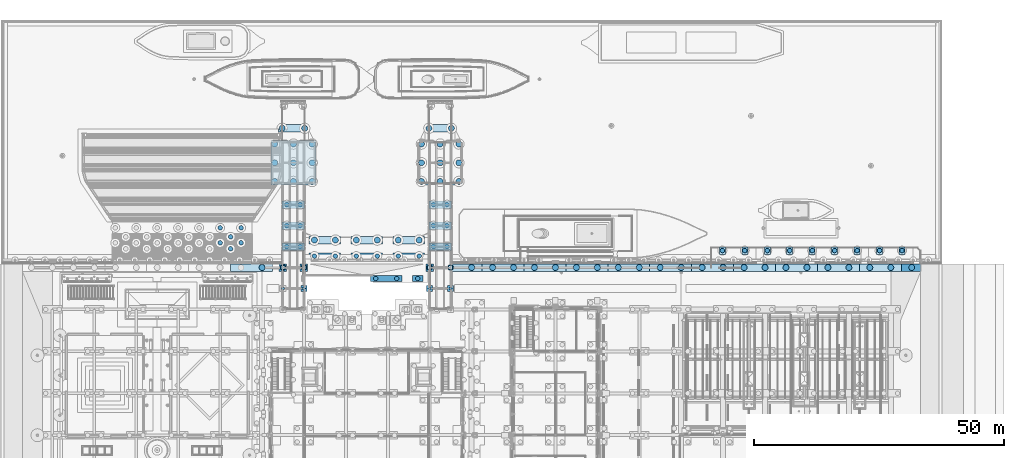
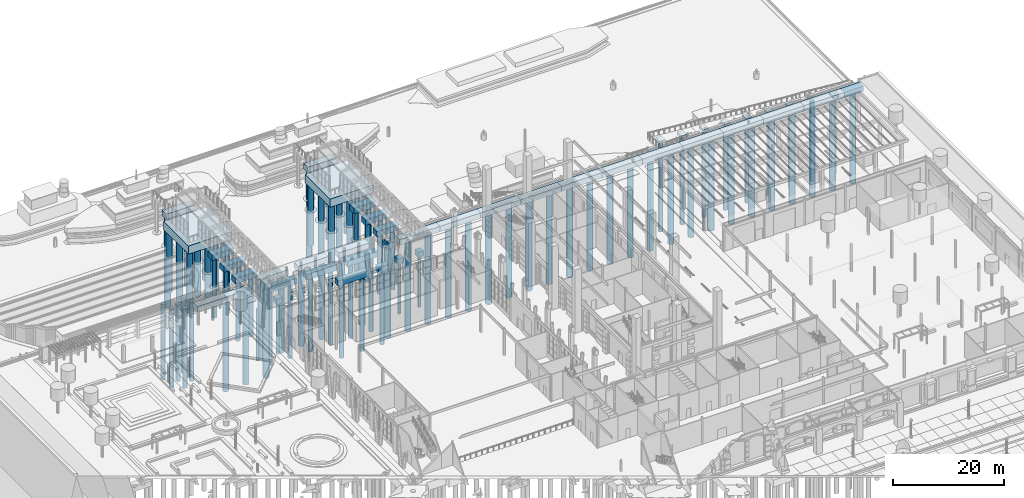
# One storey, part 7 of 222: 95 piles, 50 footings.
"""IFC4 building model written with IfcOpenShell, lengths in metres."""

from ifc_helpers import new_model, si_unit, direction, frame, origin, origin_2d, place, context, subcontext, project, spatial, rectangle, circle, extrude, material, material_profile, profile_set, type_object, element, save


model = new_model("IFC4")

# Units and contexts
model_context = context("Model", 3, precision=1e-05, world=origin(), true_north=direction((0.0, 1.0)))
body_context = subcontext(model_context, "Body", "Model", "MODEL_VIEW")
ifc_project = project(units=[si_unit("LENGTHUNIT", "METRE"), si_unit("AREAUNIT", "SQUARE_METRE"), si_unit("VOLUMEUNIT", "CUBIC_METRE"), si_unit("PLANEANGLEUNIT", "RADIAN"), si_unit("MASSUNIT", "GRAM", prefix="KILO")], contexts=[model_context])

# Site, building, storey
site_placement = place(None, origin())
site = spatial("IfcSite", under=ifc_project, at=site_placement, CompositionType="ELEMENT")
building_placement = place(site_placement, origin())
building = spatial("IfcBuilding", under=site, at=building_placement, Name="Sava Quay Ferry Terminal", CompositionType="ELEMENT")
storey_placement = place(building_placement, origin())
storey = spatial("IfcBuildingStorey", under=building, at=storey_placement, Name="L00", CompositionType="ELEMENT", Elevation=0.0)

# Piles
ifc_material_1 = material(Name="Concrete C35/45", Category="concrete")
ifc_material_profile_1 = material_profile(ifc_material_1, circle(Radius=0.60009765625, at=origin_2d()), Name="Bored pile D1200")
ifc_profile_set_1 = profile_set([ifc_material_profile_1], Name="Concrete C35/45")
pile_type_1 = type_object("IfcPileType", Name="Bored pile D1200", PredefinedType="BORED", material=ifc_profile_set_1)
for number, where, z_axis, x_axis, name in (
    (1, (44.550048828125, 134.85009765625, -2.14990234375), (0.0, 0.0, -1.0), (1.0, 0.0, 0.0), "Pile 44.55/134.85"),
    (2, (44.550048828125, 138.60009765625, -2.14990234375), (0.0, 0.0, -1.0), (1.0, 0.0, 0.0), "Pile 44.55/138.6"),
    (3, (44.550048828125, 142.35009765625, -2.14990234375), (0.0, 0.0, -1.0), (1.0, 0.0, 0.0), "Pile 44.55/142.35"),
    (4, (48.300048828125, 134.85009765625, -2.14990234375), (0.0, 0.0, -1.0), (1.0, 0.0, 0.0), "Pile 48.3/134.85"),
    (5, (48.300048828125, 138.60009765625, -2.14990234375), (0.0, 0.0, -1.0), (1.0, 0.0, 0.0), "Pile 48.3/138.6"),
    (6, (48.300048828125, 142.35009765625, -2.14990234375), (0.0, 0.0, -1.0), (1.0, 0.0, 0.0), "Pile 48.3/142.35"),
    (7, (52.050048828125, 134.85009765625, -2.14990234375), (0.0, 0.0, -1.0), (1.0, 0.0, 0.0), "Pile 52.05/134.85"),
    (8, (52.050048828125, 138.60009765625, -2.14990234375), (0.0, 0.0, -1.0), (1.0, 0.0, 0.0), "Pile 52.05/138.6"),
    (9, (52.050048828125, 142.35009765625, -2.14990234375), (0.0, 0.0, -1.0), (1.0, 0.0, 0.0), "Pile 52.05/142.35"),
    (10, (73.949951171875, 134.85009765625, -2.14990234375), (0.0, 0.0, -1.0), (1.0, 0.0, 0.0), "Pile 73.95/134.85"),
    (11, (73.949951171875, 138.60009765625, -2.14990234375), (0.0, 0.0, -1.0), (1.0, 0.0, 0.0), "Pile 73.95/138.6"),
    (12, (73.949951171875, 142.35009765625, -2.14990234375), (0.0, 0.0, -1.0), (1.0, 0.0, 0.0), "Pile 73.95/142.35"),
    (13, (77.699951171875, 134.85009765625, -2.14990234375), (0.0, 0.0, -1.0), (1.0, 0.0, 0.0), "Pile 77.7/134.85"),
    (14, (77.699951171875, 138.60009765625, -2.14990234375), (0.0, 0.0, -1.0), (1.0, 0.0, 0.0), "Pile 77.7/138.6"),
    (15, (77.699951171875, 142.35009765625, -2.14990234375), (0.0, 0.0, -1.0), (1.0, 0.0, 0.0), "Pile 77.7/142.35"),
    (16, (81.449951171875, 134.85009765625, -2.14990234375), (0.0, 0.0, -1.0), (1.0, 0.0, 0.0), "Pile 81.45/134.85"),
    (17, (81.449951171875, 138.60009765625, -2.14990234375), (0.0, 0.0, -1.0), (1.0, 0.0, 0.0), "Pile 81.45/138.6"),
    (18, (81.449951171875, 142.35009765625, -2.14990234375), (0.0, 0.0, -1.0), (1.0, 0.0, 0.0), "Pile 81.45/142.35"),
):
    element("IfcPile", number, at=place(storey_placement, frame(where, z_axis=z_axis, x_axis=x_axis)), inside=storey, type_object=pile_type_1, Name=name, PredefinedType="BORED", context=body_context, shape_type="SweptSolid", body=[
        extrude(circle(Radius=0.60009765625, at=origin_2d()), origin(), (0.0, 0.0, 1.0), 13.449951171875),
    ])
ifc_material_2 = material(Name="Concrete C35/45", Category="concrete")
ifc_material_profile_2 = material_profile(ifc_material_2, circle(Radius=0.60009765625, at=origin_2d()), Name="Bored pile D1200 in marl")
ifc_profile_set_2 = profile_set([ifc_material_profile_2], Name="Concrete C35/45")
pile_type_2 = type_object("IfcPileType", Name="Bored pile D1200 in marl", PredefinedType="BORED", material=ifc_profile_set_2)
for number, where, z_axis, x_axis, name in (
    (19, (42.0, 117.60009765625, -1.550048828125), (0.0, 0.0, -1.0), (1.0, 0.0, 0.0), "Quay pile 42"),
    (20, (46.199951171875, 117.60009765625, -1.550048828125), (0.0, 0.0, -1.0), (1.0, 0.0, 0.0), "Quay pile 46.2"),
    (21, (50.39990234375, 117.60009765625, -1.550048828125), (0.0, 0.0, -1.0), (1.0, 0.0, 0.0), "Quay pile 50.4"),
    (22, (75.60009765625, 117.60009765625, -1.550048828125), (0.0, 0.0, -1.0), (1.0, 0.0, 0.0), "Quay pile 75.6"),
    (23, (79.800048828125, 117.60009765625, -1.550048828125), (0.0, 0.0, -1.0), (1.0, 0.0, 0.0), "Quay pile 79.8"),
    (24, (84.0, 117.60009765625, -1.550048828125), (0.0, 0.0, -1.0), (1.0, 0.0, 0.0), "Quay pile 84"),
    (25, (88.199951171875, 117.60009765625, -1.550048828125), (0.0, 0.0, -1.0), (1.0, 0.0, 0.0), "Quay pile 88.2"),
    (26, (92.39990234375, 117.60009765625, -1.550048828125), (0.0, 0.0, -1.0), (1.0, 0.0, 0.0), "Quay pile 92.4"),
    (27, (96.60009765625, 117.60009765625, -1.550048828125), (0.0, 0.0, -1.0), (1.0, 0.0, 0.0), "Quay pile 96.6"),
    (28, (100.800048828125, 117.60009765625, -1.550048828125), (0.0, 0.0, -1.0), (1.0, 0.0, 0.0), "Quay pile 100.8"),
    (29, (105.0, 117.60009765625, -1.550048828125), (0.0, 0.0, -1.0), (1.0, 0.0, 0.0), "Quay pile 105"),
    (30, (109.199951171875, 117.60009765625, -1.550048828125), (0.0, 0.0, -1.0), (1.0, 0.0, 0.0), "Quay pile 109.2"),
    (31, (113.39990234375, 117.60009765625, -1.550048828125), (0.0, 0.0, -1.0), (1.0, 0.0, 0.0), "Quay pile 113.4"),
    (32, (117.60009765625, 117.60009765625, -1.550048828125), (0.0, 0.0, -1.0), (1.0, 0.0, 0.0), "Quay pile 117.6"),
    (33, (121.800048828125, 117.60009765625, -1.550048828125), (0.0, 0.0, -1.0), (1.0, 0.0, 0.0), "Quay pile 121.8"),
    (34, (126.0, 117.60009765625, -1.550048828125), (0.0, 0.0, -1.0), (1.0, 0.0, 0.0), "Quay pile 126"),
    (35, (130.199951171875, 117.60009765625, -1.550048828125), (0.0, 0.0, -1.0), (1.0, 0.0, 0.0), "Quay pile 130.2"),
    (36, (134.39990234375, 117.60009765625, -1.550048828125), (0.0, 0.0, -1.0), (1.0, 0.0, 0.0), "Quay pile 134.4"),
    (37, (138.60009765625, 117.60009765625, -1.550048828125), (0.0, 0.0, -1.0), (1.0, 0.0, 0.0), "Quay pile 138.6"),
    (38, (142.800048828125, 117.60009765625, -1.550048828125), (0.0, 0.0, -1.0), (1.0, 0.0, 0.0), "Quay pile 142.8"),
    (39, (147.0, 117.60009765625, -1.550048828125), (0.0, 0.0, -1.0), (1.0, 0.0, 0.0), "Quay pile 147"),
    (40, (151.199951171875, 117.60009765625, -1.550048828125), (0.0, 0.0, -1.0), (1.0, 0.0, 0.0), "Quay pile 151.2"),
    (41, (155.39990234375, 117.60009765625, -1.550048828125), (0.0, 0.0, -1.0), (1.0, 0.0, 0.0), "Quay pile 155.4"),
    (42, (159.60009765625, 117.60009765625, -1.550048828125), (0.0, 0.0, -1.0), (1.0, 0.0, 0.0), "Quay pile 159.6"),
    (43, (163.800048828125, 117.60009765625, -1.550048828125), (0.0, 0.0, -1.0), (1.0, 0.0, 0.0), "Quay pile 163.8"),
    (44, (168.0, 117.60009765625, -1.550048828125), (0.0, 0.0, -1.0), (1.0, 0.0, 0.0), "Quay pile 168"),
    (45, (172.199951171875, 117.60009765625, -1.550048828125), (0.0, 0.0, -1.0), (1.0, 0.0, 0.0), "Quay pile 172.2"),
):
    element("IfcPile", number, at=place(storey_placement, frame(where, z_axis=z_axis, x_axis=x_axis)), inside=storey, type_object=pile_type_2, Name=name, PredefinedType="BORED", context=body_context, shape_type="SweptSolid", body=[
        extrude(circle(Radius=0.60009765625, at=origin_2d()), origin(), (0.0, 0.0, 1.0), 19.85009765625),
    ])
for number, where, z_axis, x_axis, name in (
    (46, (52.5, 123.10009765625, -4.5), (0.0, 0.0, -1.0), (1.0, 0.0, 0.0), "Terrace pile 52.5/123.1"),
    (47, (56.699951171875, 123.10009765625, -4.5), (0.0, 0.0, -1.0), (1.0, 0.0, 0.0), "Terrace pile 56.7/123.1"),
    (48, (60.89990234375, 123.10009765625, -4.5), (0.0, 0.0, -1.0), (1.0, 0.0, 0.0), "Terrace pile 60.9/123.1"),
    (49, (65.10009765625, 123.10009765625, -4.5), (0.0, 0.0, -1.0), (1.0, 0.0, 0.0), "Terrace pile 65.1/123.1"),
    (50, (69.300048828125, 123.10009765625, -4.5), (0.0, 0.0, -1.0), (1.0, 0.0, 0.0), "Terrace pile 69.3/123.1"),
    (51, (73.5, 123.10009765625, -4.5), (0.0, 0.0, -1.0), (1.0, 0.0, 0.0), "Terrace pile 73.5/123.1"),
):
    element("IfcPile", number, at=place(storey_placement, frame(where, z_axis=z_axis, x_axis=x_axis)), inside=storey, type_object=pile_type_2, Name=name, PredefinedType="BORED", context=body_context, shape_type="SweptSolid", body=[
        extrude(circle(Radius=0.60009765625, at=origin_2d()), origin(), (0.0, 0.0, 1.0), 16.89990234375),
    ])
for number, where, z_axis, x_axis, name in (
    (52, (46.050048828125, 145.5, -1.550048828125), (0.0, 0.0, -1.0), (1.0, 0.0, 0.0), "B1 landing pile"),
    (53, (50.550048828125, 145.5, -1.550048828125), (0.0, 0.0, -1.0), (1.0, 0.0, 0.0), "B1 landing pile"),
    (54, (75.449951171875, 145.5, -1.550048828125), (0.0, 0.0, -1.0), (1.0, 0.0, 0.0), "B2 landing pile"),
    (55, (79.949951171875, 145.5, -1.550048828125), (0.0, 0.0, -1.0), (1.0, 0.0, 0.0), "B2 landing pile"),
):
    element("IfcPile", number, at=place(storey_placement, frame(where, z_axis=z_axis, x_axis=x_axis)), inside=storey, type_object=pile_type_2, Name=name, PredefinedType="BORED", context=body_context, shape_type="SweptSolid", body=[
        extrude(circle(Radius=0.60009765625, at=origin_2d()), origin(), (0.0, 0.0, 1.0), 19.85009765625),
    ])
ifc_material_3 = material(Name="Concrete C30/37", Category="concrete")
ifc_material_profile_3 = material_profile(ifc_material_3, circle(Radius=0.300048828125, at=origin_2d()), Name="Bored pile D600")
ifc_profile_set_3 = profile_set([ifc_material_profile_3], Name="Concrete C30/37")
pile_type_3 = type_object("IfcPileType", Name="Bored pile D600", PredefinedType="BORED", material=ifc_profile_set_3)
for number, where, z_axis, x_axis, name in (
    (56, (46.199951171875, 113.39990234375, -2.449951171875), (0.0, 0.0, -1.0), (1.0, 0.0, 0.0), "Pile 46.2/113.4"),
    (57, (50.39990234375, 113.39990234375, -2.449951171875), (0.0, 0.0, -1.0), (1.0, 0.0, 0.0), "Pile 50.4/113.4"),
    (58, (75.60009765625, 113.39990234375, -2.449951171875), (0.0, 0.0, -1.0), (1.0, 0.0, 0.0), "Pile 75.6/113.4"),
    (59, (79.800048828125, 113.39990234375, -2.449951171875), (0.0, 0.0, -1.0), (1.0, 0.0, 0.0), "Pile 79.8/113.4"),
):
    element("IfcPile", number, at=place(storey_placement, frame(where, z_axis=z_axis, x_axis=x_axis)), inside=storey, type_object=pile_type_3, Name=name, PredefinedType="BORED", context=body_context, shape_type="SweptSolid", body=[
        extrude(circle(Radius=0.300048828125, at=origin_2d()), origin(), (0.0, 0.0, 1.0), 11.35009765625),
    ])
ifc_material_4 = material(Name="Concrete C30/37", Category="concrete")
ifc_material_profile_4 = material_profile(ifc_material_4, circle(Radius=0.449951171875, at=origin_2d()), Name="Bored pile D900")
ifc_profile_set_4 = profile_set([ifc_material_profile_4], Name="Concrete C30/37")
pile_type_4 = type_object("IfcPileType", Name="Bored pile D900", PredefinedType="BORED", material=ifc_profile_set_4)
for number, where, z_axis, x_axis, name in (
    (60, (46.949951171875, 121.800048828125, -1.550048828125), (0.0, 0.0, -1.0), (1.0, 0.0, 0.0), "Pile 46.95/121.8"),
    (61, (49.64990234375, 121.800048828125, -1.550048828125), (0.0, 0.0, -1.0), (1.0, 0.0, 0.0), "Pile 49.65/121.8"),
    (62, (46.949951171875, 126.0, -1.550048828125), (0.0, 0.0, -1.0), (1.0, 0.0, 0.0), "Pile 46.95/126"),
    (63, (49.64990234375, 126.0, -1.550048828125), (0.0, 0.0, -1.0), (1.0, 0.0, 0.0), "Pile 49.65/126"),
    (64, (46.949951171875, 130.199951171875, -1.550048828125), (0.0, 0.0, -1.0), (1.0, 0.0, 0.0), "Pile 46.95/130.2"),
    (65, (49.64990234375, 130.199951171875, -1.550048828125), (0.0, 0.0, -1.0), (1.0, 0.0, 0.0), "Pile 49.65/130.2"),
    (66, (76.35009765625, 121.800048828125, -1.550048828125), (0.0, 0.0, -1.0), (1.0, 0.0, 0.0), "Pile 76.35/121.8"),
    (67, (79.050048828125, 121.800048828125, -1.550048828125), (0.0, 0.0, -1.0), (1.0, 0.0, 0.0), "Pile 79.05/121.8"),
    (68, (76.35009765625, 126.0, -1.550048828125), (0.0, 0.0, -1.0), (1.0, 0.0, 0.0), "Pile 76.35/126"),
    (69, (79.050048828125, 126.0, -1.550048828125), (0.0, 0.0, -1.0), (1.0, 0.0, 0.0), "Pile 79.05/126"),
    (70, (76.35009765625, 130.199951171875, -1.550048828125), (0.0, 0.0, -1.0), (1.0, 0.0, 0.0), "Pile 76.35/130.2"),
    (71, (79.050048828125, 130.199951171875, -1.550048828125), (0.0, 0.0, -1.0), (1.0, 0.0, 0.0), "Pile 79.05/130.2"),
):
    element("IfcPile", number, at=place(storey_placement, frame(where, z_axis=z_axis, x_axis=x_axis)), inside=storey, type_object=pile_type_4, Name=name, PredefinedType="BORED", context=body_context, shape_type="SweptSolid", body=[
        extrude(circle(Radius=0.449951171875, at=origin_2d()), origin(), (0.0, 0.0, 1.0), 13.14990234375),
    ])
ifc_material_5 = material(Name="Concrete C30/37", Category="concrete")
ifc_material_profile_5 = material_profile(ifc_material_5, circle(Radius=0.449951171875, at=origin_2d()), Name="Bored pile D900 in marl")
ifc_profile_set_5 = profile_set([ifc_material_profile_5], Name="Concrete C30/37")
pile_type_5 = type_object("IfcPileType", Name="Bored pile D900 in marl", PredefinedType="BORED", material=ifc_profile_set_5)
for number, where, z_axis, x_axis, name in (
    (72, (52.5, 119.89990234375, -4.5), (0.0, 0.0, -1.0), (1.0, 0.0, 0.0), "Terrace pile 52.5/119.9"),
    (73, (56.699951171875, 119.89990234375, -4.5), (0.0, 0.0, -1.0), (1.0, 0.0, 0.0), "Terrace pile 56.7/119.9"),
    (74, (60.89990234375, 119.89990234375, -4.5), (0.0, 0.0, -1.0), (1.0, 0.0, 0.0), "Terrace pile 60.9/119.9"),
    (75, (65.10009765625, 119.89990234375, -4.5), (0.0, 0.0, -1.0), (1.0, 0.0, 0.0), "Terrace pile 65.1/119.9"),
    (76, (69.300048828125, 119.89990234375, -4.5), (0.0, 0.0, -1.0), (1.0, 0.0, 0.0), "Terrace pile 69.3/119.9"),
    (77, (73.5, 119.89990234375, -4.5), (0.0, 0.0, -1.0), (1.0, 0.0, 0.0), "Terrace pile 73.5/119.9"),
    (78, (64.800048828125, 115.39990234375, -4.5), (0.0, 0.0, -1.0), (1.0, 0.0, 0.0), "Terrace pile 64.8/115.4"),
    (79, (69.0, 115.39990234375, -4.5), (0.0, 0.0, -1.0), (1.0, 0.0, 0.0), "Terrace pile 69/115.4"),
    (80, (73.199951171875, 115.39990234375, -4.5), (0.0, 0.0, -1.0), (1.0, 0.0, 0.0), "Terrace pile 73.2/115.4"),
):
    element("IfcPile", number, at=place(storey_placement, frame(where, z_axis=z_axis, x_axis=x_axis)), inside=storey, type_object=pile_type_5, Name=name, PredefinedType="BORED", context=body_context, shape_type="SweptSolid", body=[
        extrude(circle(Radius=0.449951171875, at=origin_2d()), origin(), (0.0, 0.0, 1.0), 16.300048828125),
    ])
for number, where, z_axis, x_axis, name in (
    (81, (35.699951171875, 121.35009765625, -3.35009765625), (0.0, 0.0, -1.0), (1.0, 0.0, 0.0), "Quay step pile 35.7"),
    (82, (33.60009765625, 122.550048828125, -3.35009765625), (0.0, 0.0, -1.0), (1.0, 0.0, 0.0), "Quay step pile 33.6"),
    (83, (37.800048828125, 122.550048828125, -3.35009765625), (0.0, 0.0, -1.0), (1.0, 0.0, 0.0), "Quay step pile 37.8"),
):
    element("IfcPile", number, at=place(storey_placement, frame(where, z_axis=z_axis, x_axis=x_axis)), inside=storey, type_object=pile_type_5, Name=name, PredefinedType="BORED", context=body_context, shape_type="SweptSolid", body=[
        extrude(circle(Radius=0.449951171875, at=origin_2d()), origin(), (0.0, 0.0, 1.0), 17.449951171875),
    ])
pile_1_placement = place(storey_placement, frame((35.699951171875, 123.75, -3.949951171875), z_axis=(0.0, 0.0, -1.0), x_axis=(1.0, 0.0, 0.0)))
element("IfcPile", 84, at=pile_1_placement, inside=storey, type_object=pile_type_5, Name="Quay step pile 35.7", PredefinedType="BORED", context=body_context, shape_type="SweptSolid", body=[
    extrude(circle(Radius=0.449951171875, at=origin_2d()), origin(), (0.0, 0.0, 1.0), 16.85009765625),
])
for number, where, z_axis, x_axis, name in (
    (85, (33.60009765625, 125.550048828125, -4.25), (0.0, 0.0, -1.0), (1.0, 0.0, 0.0), "Quay step pile 33.6"),
    (86, (37.800048828125, 125.550048828125, -4.25), (0.0, 0.0, -1.0), (1.0, 0.0, 0.0), "Quay step pile 37.8"),
):
    element("IfcPile", number, at=place(storey_placement, frame(where, z_axis=z_axis, x_axis=x_axis)), inside=storey, type_object=pile_type_5, Name=name, PredefinedType="BORED", context=body_context, shape_type="SweptSolid", body=[
        extrude(circle(Radius=0.449951171875, at=origin_2d()), origin(), (0.0, 0.0, 1.0), 16.550048828125),
    ])
pile_2_placement = place(storey_placement, frame((134.25, 121.0, -1.06396484375), z_axis=(0.0, 0.0, -1.0), x_axis=(1.0, 0.0, 0.0)))
element("IfcPile", 87, at=pile_2_placement, inside=storey, type_object=pile_type_5, Name="Quay ramp pile 134.25", PredefinedType="BORED", context=body_context, shape_type="SweptSolid", body=[
    extrude(circle(Radius=0.449951171875, at=origin_2d()), origin(), (0.0, 0.0, 1.0), 19.736083984375),
])
pile_3_placement = place(storey_placement, frame((138.75, 121.0, -1.43896484375), z_axis=(0.0, 0.0, -1.0), x_axis=(1.0, 0.0, 0.0)))
element("IfcPile", 88, at=pile_3_placement, inside=storey, type_object=pile_type_5, Name="Quay ramp pile 138.75", PredefinedType="BORED", context=body_context, shape_type="SweptSolid", body=[
    extrude(circle(Radius=0.449951171875, at=origin_2d()), origin(), (0.0, 0.0, 1.0), 19.361083984375),
])
pile_4_placement = place(storey_placement, frame((143.25, 121.0, -1.68896484375), z_axis=(0.0, 0.0, -1.0), x_axis=(1.0, 0.0, 0.0)))
element("IfcPile", 89, at=pile_4_placement, inside=storey, type_object=pile_type_5, Name="Quay ramp pile 143.25", PredefinedType="BORED", context=body_context, shape_type="SweptSolid", body=[
    extrude(circle(Radius=0.449951171875, at=origin_2d()), origin(), (0.0, 0.0, 1.0), 19.111083984375),
])
pile_5_placement = place(storey_placement, frame((147.75, 121.0, -2.06396484375), z_axis=(0.0, 0.0, -1.0), x_axis=(1.0, 0.0, 0.0)))
element("IfcPile", 90, at=pile_5_placement, inside=storey, type_object=pile_type_5, Name="Quay ramp pile 147.75", PredefinedType="BORED", context=body_context, shape_type="SweptSolid", body=[
    extrude(circle(Radius=0.449951171875, at=origin_2d()), origin(), (0.0, 0.0, 1.0), 18.736083984375),
])
pile_6_placement = place(storey_placement, frame((152.25, 121.0, -2.375), z_axis=(0.0, 0.0, -1.0), x_axis=(1.0, 0.0, 0.0)))
element("IfcPile", 91, at=pile_6_placement, inside=storey, type_object=pile_type_5, Name="Quay ramp pile 152.25", PredefinedType="BORED", context=body_context, shape_type="SweptSolid", body=[
    extrude(circle(Radius=0.449951171875, at=origin_2d()), origin(), (0.0, 0.0, 1.0), 18.425048828125),
])
pile_7_placement = place(storey_placement, frame((156.75, 121.0, -2.68896484375), z_axis=(0.0, 0.0, -1.0), x_axis=(1.0, 0.0, 0.0)))
element("IfcPile", 92, at=pile_7_placement, inside=storey, type_object=pile_type_5, Name="Quay ramp pile 156.75", PredefinedType="BORED", context=body_context, shape_type="SweptSolid", body=[
    extrude(circle(Radius=0.449951171875, at=origin_2d()), origin(), (0.0, 0.0, 1.0), 18.111083984375),
])
pile_8_placement = place(storey_placement, frame((161.25, 121.0, -3.06396484375), z_axis=(0.0, 0.0, -1.0), x_axis=(1.0, 0.0, 0.0)))
element("IfcPile", 93, at=pile_8_placement, inside=storey, type_object=pile_type_5, Name="Quay ramp pile 161.25", PredefinedType="BORED", context=body_context, shape_type="SweptSolid", body=[
    extrude(circle(Radius=0.449951171875, at=origin_2d()), origin(), (0.0, 0.0, 1.0), 17.736083984375),
])
pile_9_placement = place(storey_placement, frame((165.75, 121.0, -3.31396484375), z_axis=(0.0, 0.0, -1.0), x_axis=(1.0, 0.0, 0.0)))
element("IfcPile", 94, at=pile_9_placement, inside=storey, type_object=pile_type_5, Name="Quay ramp pile 165.75", PredefinedType="BORED", context=body_context, shape_type="SweptSolid", body=[
    extrude(circle(Radius=0.449951171875, at=origin_2d()), origin(), (0.0, 0.0, 1.0), 17.486083984375),
])
pile_10_placement = place(storey_placement, frame((170.25, 121.0, -3.68896484375), z_axis=(0.0, 0.0, -1.0), x_axis=(1.0, 0.0, 0.0)))
element("IfcPile", 95, at=pile_10_placement, inside=storey, type_object=pile_type_5, Name="Quay ramp pile 170.25", PredefinedType="BORED", context=body_context, shape_type="SweptSolid", body=[
    extrude(circle(Radius=0.449951171875, at=origin_2d()), origin(), (0.0, 0.0, 1.0), 17.111083984375),
])

# Footings
ifc_material_6 = material(Name="Concrete C35/45", Category="concrete")
footing_type_1 = type_object("IfcFootingType", Name="Landing cap 6.0x1.5x1.2", PredefinedType="PILE_CAP", material=ifc_material_6)
for number, where, z_axis, x_axis, name in (
    (96, (48.300048828125, 145.5, -1.64990234375), (0.0, 0.0, 1.0), (1.0, 0.0, 0.0), "B1 landing cap"),
    (97, (77.699951171875, 145.5, -1.64990234375), (0.0, 0.0, 1.0), (1.0, 0.0, 0.0), "B2 landing cap"),
):
    element("IfcFooting", number, at=place(storey_placement, frame(where, z_axis=z_axis, x_axis=x_axis)), inside=storey, type_object=footing_type_1, Name=name, PredefinedType="PILE_CAP", context=body_context, shape_type="SweptSolid", body=[
        extrude(rectangle(XDim=6.0, YDim=1.5, at=origin_2d()), origin(), (0.0, 0.0, 1.0), 1.199951171875),
    ])
ifc_material_7 = material(Name="Concrete C35/45", Category="concrete")
footing_type_2 = type_object("IfcFootingType", Name="Pile cap 1.2x1.2x1.2", PredefinedType="PILE_CAP", material=ifc_material_7)
for number, where, z_axis, x_axis, name in (
    (98, (50.39990234375, 113.39990234375, -2.5498046875), (0.0, 0.0, 1.0), (1.0, 0.0, 0.0), "Gallery post cap 49.8/112.8"),
    (99, (75.60009765625, 113.39990234375, -2.5498046875), (0.0, 0.0, 1.0), (1.0, 0.0, 0.0), "Gallery post cap 75/112.8"),
    (100, (79.800048828125, 113.39990234375, -2.5498046875), (0.0, 0.0, 1.0), (1.0, 0.0, 0.0), "Gallery post cap 79.2/112.8"),
):
    element("IfcFooting", number, at=place(storey_placement, frame(where, z_axis=z_axis, x_axis=x_axis)), inside=storey, type_object=footing_type_2, Name=name, PredefinedType="PILE_CAP", context=body_context, shape_type="SweptSolid", body=[
        extrude(rectangle(XDim=1.199951171875, YDim=1.199951171875, at=origin_2d()), origin(), (0.0, 0.0, 1.0), 1.199951171875),
    ])
ifc_material_8 = material(Name="Concrete C35/45", Category="concrete")
footing_type_3 = type_object("IfcFootingType", Name="Pile cap 4.5x1.5x1.2", PredefinedType="PILE_CAP", material=ifc_material_8)
for number, where, z_axis, x_axis, name in (
    (101, (48.300048828125, 121.800048828125, -1.64990234375), (0.0, 0.0, 1.0), (1.0, 0.0, 0.0), "Gallery bent cap 46.05/121.05"),
    (102, (48.300048828125, 126.0, -1.64990234375), (0.0, 0.0, 1.0), (1.0, 0.0, 0.0), "Gallery bent cap 46.05/125.25"),
    (103, (48.300048828125, 130.199951171875, -1.64990234375), (0.0, 0.0, 1.0), (1.0, 0.0, 0.0), "Gallery bent cap 46.05/129.45"),
    (104, (77.699951171875, 121.800048828125, -1.64990234375), (0.0, 0.0, 1.0), (1.0, 0.0, 0.0), "Gallery bent cap 75.45/121.05"),
    (105, (77.699951171875, 126.0, -1.64990234375), (0.0, 0.0, 1.0), (1.0, 0.0, 0.0), "Gallery bent cap 75.45/125.25"),
    (106, (77.699951171875, 130.199951171875, -1.64990234375), (0.0, 0.0, 1.0), (1.0, 0.0, 0.0), "Gallery bent cap 75.45/129.45"),
):
    element("IfcFooting", number, at=place(storey_placement, frame(where, z_axis=z_axis, x_axis=x_axis)), inside=storey, type_object=footing_type_3, Name=name, PredefinedType="PILE_CAP", context=body_context, shape_type="SweptSolid", body=[
        extrude(rectangle(XDim=4.5, YDim=1.5, at=origin_2d()), origin(), (0.0, 0.0, 1.0), 1.199951171875),
    ])
ifc_material_9 = material(Name="Concrete C35/45", Category="concrete")
footing_type_4 = type_object("IfcFootingType", Name="Pile cap 9.0x9.0x1.8", PredefinedType="PILE_CAP", material=ifc_material_9)
for number, where, z_axis, x_axis, name in (
    (107, (48.300048828125, 138.60009765625, -2.25), (0.0, 0.0, 1.0), (1.0, 0.0, 0.0), "Berth head cap 43.8/134.1"),
    (108, (77.699951171875, 138.60009765625, -2.25), (0.0, 0.0, 1.0), (1.0, 0.0, 0.0), "Berth head cap 73.2/134.1"),
):
    element("IfcFooting", number, at=place(storey_placement, frame(where, z_axis=z_axis, x_axis=x_axis)), inside=storey, type_object=footing_type_4, Name=name, PredefinedType="PILE_CAP", context=body_context, shape_type="SweptSolid", body=[
        extrude(rectangle(XDim=9.0, YDim=9.0, at=origin_2d()), origin(), (0.0, 0.0, 1.0), 1.800048828125),
    ])
ifc_material_10 = material(Name="Concrete C35/45", Category="concrete")
footing_type_5 = type_object("IfcFootingType", Name="Post pad 800x800x300", PredefinedType="PAD_FOOTING", material=ifc_material_10)
for number, where, z_axis, x_axis, name in (
    (109, (46.199951171875, 117.60009765625, -0.4501953125), (0.0, 0.0, 1.0), (1.0, 0.0, 0.0), "Gallery post pad 46.2"),
    (110, (50.39990234375, 117.60009765625, -0.4501953125), (0.0, 0.0, 1.0), (1.0, 0.0, 0.0), "Gallery post pad 50.4"),
    (111, (75.60009765625, 117.60009765625, -0.4501953125), (0.0, 0.0, 1.0), (1.0, 0.0, 0.0), "Gallery post pad 75.6"),
    (112, (79.800048828125, 117.60009765625, -0.4501953125), (0.0, 0.0, 1.0), (1.0, 0.0, 0.0), "Gallery post pad 79.8"),
):
    element("IfcFooting", number, at=place(storey_placement, frame(where, z_axis=z_axis, x_axis=x_axis)), inside=storey, type_object=footing_type_5, Name=name, PredefinedType="PAD_FOOTING", context=body_context, shape_type="SweptSolid", body=[
        extrude(rectangle(XDim=0.800048828125, YDim=0.800048828125, at=origin_2d()), origin(), (0.0, 0.0, 1.0), 0.300048828125),
    ])
ifc_material_11 = material(Name="Concrete C40/50", Category="concrete")
footing_type_6 = type_object("IfcFootingType", Name="Quay pile cap 1.5x1.5x1.2", PredefinedType="PILE_CAP", material=ifc_material_11)
for number, where, z_axis, x_axis, name in (
    (113, (46.199951171875, 117.60009765625, -1.64990234375), (0.0, 0.0, 1.0), (1.0, 0.0, 0.0), "Quay edge pile cap 46.2"),
    (114, (50.39990234375, 117.60009765625, -1.64990234375), (0.0, 0.0, 1.0), (1.0, 0.0, 0.0), "Quay edge pile cap 50.4"),
    (115, (75.60009765625, 117.60009765625, -1.64990234375), (0.0, 0.0, 1.0), (1.0, 0.0, 0.0), "Quay edge pile cap 75.6"),
):
    element("IfcFooting", number, at=place(storey_placement, frame(where, z_axis=z_axis, x_axis=x_axis)), inside=storey, type_object=footing_type_6, Name=name, PredefinedType="PILE_CAP", context=body_context, shape_type="SweptSolid", body=[
        extrude(rectangle(XDim=1.5, YDim=1.5, at=origin_2d()), origin(), (0.0, 0.0, 1.0), 1.199951171875),
    ])
ifc_material_12 = material(Name="Concrete C40/50", Category="concrete")
footing_type_7 = type_object("IfcFootingType", Name="RC capping beam 1500x1200", PredefinedType="PILE_CAP", material=ifc_material_12)
for number, where, z_axis, x_axis, name in (
    (116, (39.89990234375, 117.60009765625, -1.64990234375), (0.0, 0.0, 1.0), (1.0, 0.0, 0.0), "Capping beam 35.7"),
    (117, (81.89990234375, 117.60009765625, -1.64990234375), (0.0, 0.0, 1.0), (1.0, 0.0, 0.0), "Capping beam 77.7"),
    (118, (90.300048828125, 117.60009765625, -1.64990234375), (0.0, 0.0, 1.0), (1.0, 0.0, 0.0), "Capping beam 86.1"),
    (119, (98.699951171875, 117.60009765625, -1.64990234375), (0.0, 0.0, 1.0), (1.0, 0.0, 0.0), "Capping beam 94.5"),
    (120, (107.10009765625, 117.60009765625, -1.64990234375), (0.0, 0.0, 1.0), (1.0, 0.0, 0.0), "Capping beam 102.9"),
    (121, (115.5, 117.60009765625, -1.64990234375), (0.0, 0.0, 1.0), (1.0, 0.0, 0.0), "Capping beam 111.3"),
    (122, (123.89990234375, 117.60009765625, -1.64990234375), (0.0, 0.0, 1.0), (1.0, 0.0, 0.0), "Capping beam 119.7"),
    (123, (132.300048828125, 117.60009765625, -1.64990234375), (0.0, 0.0, 1.0), (1.0, 0.0, 0.0), "Capping beam 128.1"),
    (124, (140.699951171875, 117.60009765625, -1.64990234375), (0.0, 0.0, 1.0), (1.0, 0.0, 0.0), "Capping beam 136.5"),
    (125, (149.10009765625, 117.60009765625, -1.64990234375), (0.0, 0.0, 1.0), (1.0, 0.0, 0.0), "Capping beam 144.9"),
    (126, (157.5, 117.60009765625, -1.64990234375), (0.0, 0.0, 1.0), (1.0, 0.0, 0.0), "Capping beam 153.3"),
    (127, (165.89990234375, 117.60009765625, -1.64990234375), (0.0, 0.0, 1.0), (1.0, 0.0, 0.0), "Capping beam 161.7"),
):
    element("IfcFooting", number, at=place(storey_placement, frame(where, z_axis=z_axis, x_axis=x_axis)), inside=storey, type_object=footing_type_7, Name=name, PredefinedType="PILE_CAP", context=body_context, shape_type="SweptSolid", body=[
        extrude(rectangle(XDim=8.39990234375, YDim=1.5, at=origin_2d()), origin(), (0.0, 0.0, 1.0), 1.199951171875),
    ])
ifc_material_13 = material(Name="Concrete C40/50", Category="concrete")
footing_type_8 = type_object("IfcFootingType", Name="RC capping beam 1500x1200 end 3.9", PredefinedType="PILE_CAP", material=ifc_material_13)
footing_1_placement = place(storey_placement, frame((172.050048828125, 117.60009765625, -1.64990234375), z_axis=(0.0, 0.0, 1.0), x_axis=(1.0, 0.0, 0.0)))
element("IfcFooting", 128, at=footing_1_placement, inside=storey, type_object=footing_type_8, Name="Capping beam 170.1", PredefinedType="PILE_CAP", context=body_context, shape_type="SweptSolid", body=[
    extrude(rectangle(XDim=3.89990234375, YDim=1.5, at=origin_2d()), origin(), (0.0, 0.0, 1.0), 1.199951171875),
])
ifc_material_14 = material(Name="Concrete C40/50", Category="concrete")
footing_type_9 = type_object("IfcFootingType", Name="RC terrace cap beam 1200x1200", PredefinedType="PILE_CAP", material=ifc_material_14)
for number, where, z_axis, x_axis, name in (
    (129, (54.60009765625, 119.89990234375, -4.60009765625), (0.0, 0.0, 1.0), (1.0, 0.0, 0.0), "Terrace cap beam"),
    (130, (63.0, 119.89990234375, -4.60009765625), (0.0, 0.0, 1.0), (1.0, 0.0, 0.0), "Terrace cap beam"),
    (131, (71.39990234375, 119.89990234375, -4.60009765625), (0.0, 0.0, 1.0), (1.0, 0.0, 0.0), "Terrace cap beam"),
    (132, (66.89990234375, 115.39990234375, -4.60009765625), (0.0, 0.0, 1.0), (1.0, 0.0, 0.0), "Terrace cap beam"),
):
    element("IfcFooting", number, at=place(storey_placement, frame(where, z_axis=z_axis, x_axis=x_axis)), inside=storey, type_object=footing_type_9, Name=name, PredefinedType="PILE_CAP", context=body_context, shape_type="SweptSolid", body=[
        extrude(rectangle(XDim=6.300048828125, YDim=1.199951171875, at=origin_2d()), origin(), (0.0, 0.0, 1.0), 1.199951171875),
    ])
footing_2_placement = place(storey_placement, frame((73.199951171875, 115.39990234375, -4.60009765625), z_axis=(0.0, 0.0, 1.0), x_axis=(1.0, 0.0, 0.0)))
element("IfcFooting", 133, at=footing_2_placement, inside=storey, type_object=footing_type_9, Name="Terrace cap beam", PredefinedType="PILE_CAP", context=body_context, shape_type="SweptSolid", body=[
    extrude(rectangle(XDim=2.10009765625, YDim=1.199951171875, at=origin_2d()), origin(), (0.0, 0.0, 1.0), 1.199951171875),
])
ifc_material_15 = material(Name="Concrete C40/50", Category="concrete")
footing_type_10 = type_object("IfcFootingType", Name="RC terrace cap beam 1500x1200", PredefinedType="PILE_CAP", material=ifc_material_15)
for number, where, z_axis, x_axis, name in (
    (134, (54.60009765625, 123.10009765625, -4.60009765625), (0.0, 0.0, 1.0), (1.0, 0.0, 0.0), "Terrace cap beam"),
    (135, (63.0, 123.10009765625, -4.60009765625), (0.0, 0.0, 1.0), (1.0, 0.0, 0.0), "Terrace cap beam"),
    (136, (71.39990234375, 123.10009765625, -4.60009765625), (0.0, 0.0, 1.0), (1.0, 0.0, 0.0), "Terrace cap beam"),
):
    element("IfcFooting", number, at=place(storey_placement, frame(where, z_axis=z_axis, x_axis=x_axis)), inside=storey, type_object=footing_type_10, Name=name, PredefinedType="PILE_CAP", context=body_context, shape_type="SweptSolid", body=[
        extrude(rectangle(XDim=6.300048828125, YDim=1.5, at=origin_2d()), origin(), (0.0, 0.0, 1.0), 1.199951171875),
    ])
ifc_material_16 = material(Name="Concrete C40/50", Category="concrete")
footing_type_11 = type_object("IfcFootingType", Name="Ramp pile cap 1.2x1.5x0.6", PredefinedType="PILE_CAP", material=ifc_material_16)
for number, where, z_axis, x_axis, name in (
    (137, (134.25, 121.0, -1.1640625), (0.0, 0.0, 1.0), (1.0, 0.0, 0.0), "Quay ramp pile cap 134.25"),
    (138, (138.75, 121.0, -1.5390625), (0.0, 0.0, 1.0), (1.0, 0.0, 0.0), "Quay ramp pile cap 138.75"),
    (139, (143.25, 121.0, -1.7890625), (0.0, 0.0, 1.0), (1.0, 0.0, 0.0), "Quay ramp pile cap 143.25"),
    (140, (147.75, 121.0, -2.1640625), (0.0, 0.0, 1.0), (1.0, 0.0, 0.0), "Quay ramp pile cap 147.75"),
    (141, (152.25, 121.0, -2.47509765625), (0.0, 0.0, 1.0), (1.0, 0.0, 0.0), "Quay ramp pile cap 152.25"),
    (142, (156.75, 121.0, -2.7890625), (0.0, 0.0, 1.0), (1.0, 0.0, 0.0), "Quay ramp pile cap 156.75"),
    (143, (161.25, 121.0, -3.1640625), (0.0, 0.0, 1.0), (1.0, 0.0, 0.0), "Quay ramp pile cap 161.25"),
    (144, (165.75, 121.0, -3.4140625), (0.0, 0.0, 1.0), (1.0, 0.0, 0.0), "Quay ramp pile cap 165.75"),
    (145, (170.25, 121.0, -3.7890625), (0.0, 0.0, 1.0), (1.0, 0.0, 0.0), "Quay ramp pile cap 170.25"),
):
    element("IfcFooting", number, at=place(storey_placement, frame(where, z_axis=z_axis, x_axis=x_axis)), inside=storey, type_object=footing_type_11, Name=name, PredefinedType="PILE_CAP", context=body_context, shape_type="SweptSolid", body=[
        extrude(rectangle(XDim=1.199951171875, YDim=1.5, at=origin_2d()), origin(), (0.0, 0.0, 1.0), 0.60009765625),
    ])

save(model, "model.ifc")
